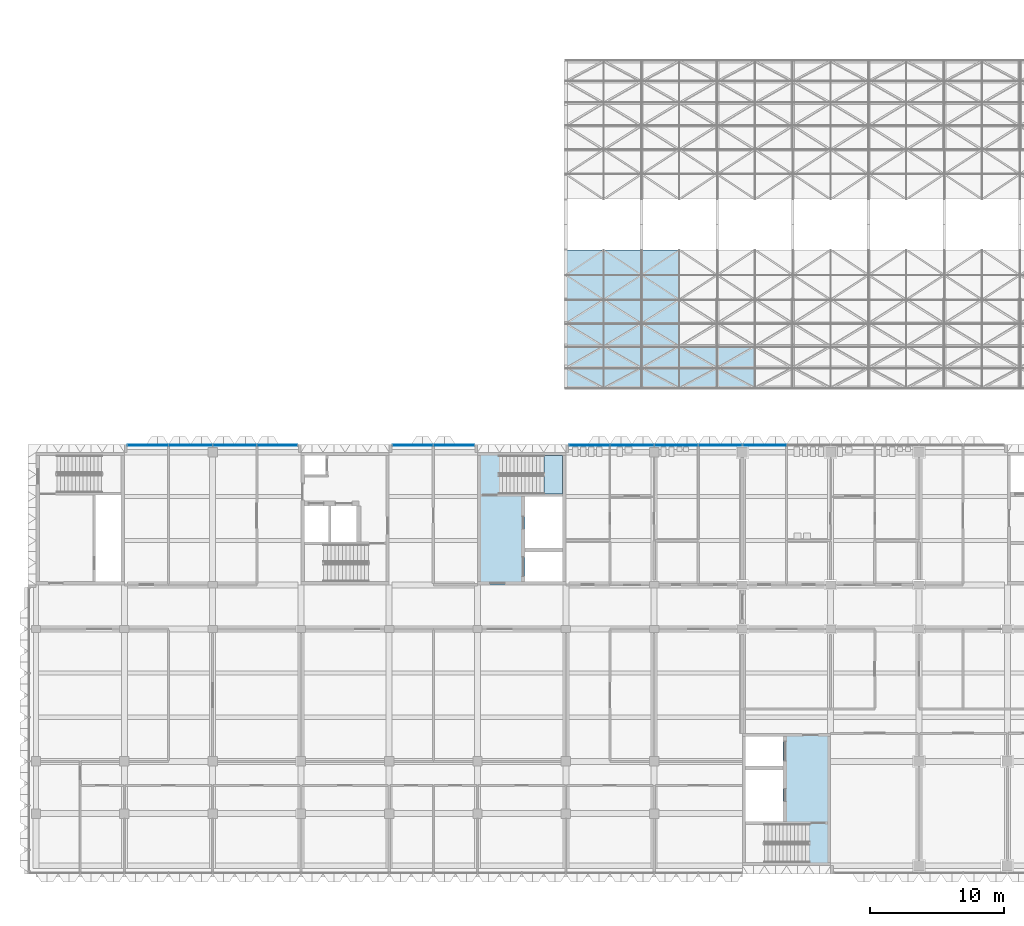
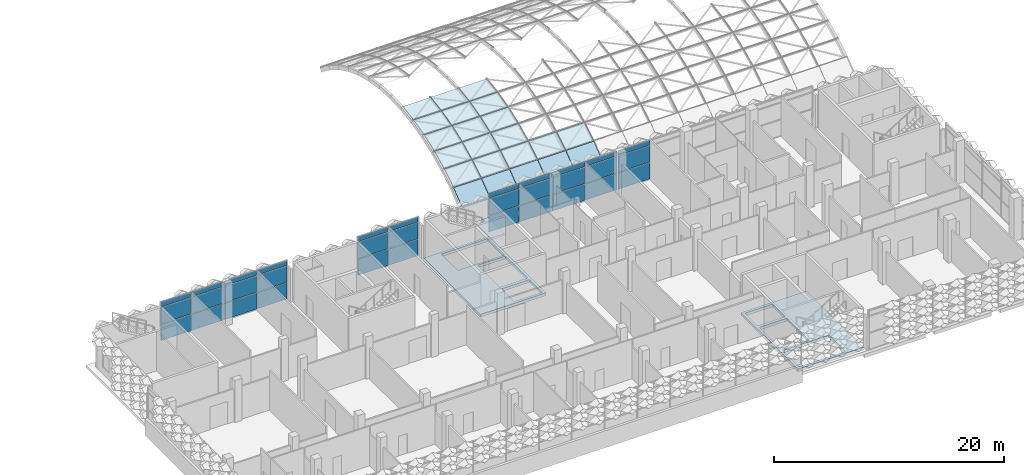
# One storey, part 20 of 85: 55 plates, 3 slabs, 5 elements without a shape of their own.
"""IFC4 building model written with IfcOpenShell, lengths in metres."""

from ifc_helpers import new_model, si_unit, direction, frame, origin, origin_2d, place, context, subcontext, project, spatial, polyline, rectangle, outline, extrude, material, layer, layer_set, type_object, element, aggregate, save


model = new_model("IFC4")

# Units and contexts
model_context = context("Model", 3, precision=1e-05, world=origin(), true_north=direction((0.0, 1.0)))
body_context = subcontext(model_context, "Body", "Model", "MODEL_VIEW")
ifc_project = project(units=[si_unit("LENGTHUNIT", "METRE"), si_unit("AREAUNIT", "SQUARE_METRE"), si_unit("VOLUMEUNIT", "CUBIC_METRE"), si_unit("PLANEANGLEUNIT", "RADIAN"), si_unit("MASSUNIT", "GRAM", prefix="KILO")], contexts=[model_context])

# Site, building, storey
site_placement = place(None, origin())
site = spatial("IfcSite", under=ifc_project, at=site_placement, CompositionType="ELEMENT")
building_placement = place(site_placement, origin())
building = spatial("IfcBuilding", under=site, at=building_placement, Name="Lantern Court Research Institute", CompositionType="ELEMENT")
storey_placement = place(building_placement, frame((0.0, 0.0, 18.89990234375)))
storey = spatial("IfcBuildingStorey", under=building, at=storey_placement, Name="L04", CompositionType="ELEMENT", Elevation=18.89990234375)

# Plates
ifc_material_1 = material(Name="Laminated low-emissivity glass", Category="glass")
ifc_layer_1 = layer(ifc_material_1, 0.035888671875)
ifc_layer_set_1 = layer_set([ifc_layer_1], Name="Laminated low-emissivity glass")
plate_type_1 = type_object("IfcPlateType", Name="Gridshell roof glazing panel 36", PredefinedType="SHEET", material=ifc_layer_set_1)
plate_1_placement = place(storey_placement, frame((42.41845703125, 34.502685546875, 3.881591796875), z_axis=(0.0, -0.249093192145, 0.9684795205), x_axis=(-1.0, 0.0, 0.0)))
element("IfcPlate", 1, at=plate_1_placement, inside=storey, type_object=plate_type_1, Name="Roof glazing panel", PredefinedType="SHEET", context=body_context, shape_type="SweptSolid", body=[
    extrude(outline(polyline([(0.0, 0.0), (2.808349609375, 0.0), (2.808349609375, -1.881825817736193), (0.0, -1.881825817736193), (0.0, 0.0)])), origin(), (0.0, 0.0, -1.0), 0.035888671875),
])
plate_2_placement = place(storey_placement, frame((42.41845703125, 36.348876953125, 4.355224609375), z_axis=(0.0, -0.150477827795, 0.988613384161), x_axis=(-1.0, 0.0, 0.0)))
element("IfcPlate", 2, at=plate_2_placement, inside=storey, type_object=plate_type_1, Name="Roof glazing panel", PredefinedType="SHEET", context=body_context, shape_type="SweptSolid", body=[
    extrude(outline(polyline([(0.0, 0.0), (2.808349609375, 0.0), (2.808349609375, -1.8820256056964206), (0.0, -1.8820256056964206), (0.0, 0.0)])), origin(), (0.0, 0.0, -1.0), 0.035888671875),
])
plate_3_placement = place(storey_placement, frame((45.2470703125, 34.502685546875, 3.881591796875), z_axis=(0.0, -0.249093192145, 0.9684795205), x_axis=(-1.0, 0.0, 0.0)))
element("IfcPlate", 3, at=plate_3_placement, inside=storey, type_object=plate_type_1, Name="Roof glazing panel", PredefinedType="SHEET", context=body_context, shape_type="SweptSolid", body=[
    extrude(outline(polyline([(0.0, 0.0), (2.80859375, 0.0), (2.80859375, -1.8818258177361935), (0.0, -1.8818258177361935), (0.0, 0.0)])), origin(), (0.0, 0.0, -1.0), 0.035888671875),
])
plate_4_placement = place(storey_placement, frame((45.2470703125, 36.348876953125, 4.355224609375), z_axis=(0.0, -0.150477827795, 0.988613384161), x_axis=(-1.0, 0.0, 0.0)))
element("IfcPlate", 4, at=plate_4_placement, inside=storey, type_object=plate_type_1, Name="Roof glazing panel", PredefinedType="SHEET", context=body_context, shape_type="SweptSolid", body=[
    extrude(outline(polyline([(0.0, 0.0), (2.80859375, 0.0), (2.80859375, -1.8820256056964204), (0.0, -1.8820256056964204), (0.0, 0.0)])), origin(), (0.0, 0.0, -1.0), 0.035888671875),
])
plate_5_placement = place(storey_placement, frame((48.07568359375, 34.502685546875, 3.881591796875), z_axis=(0.0, -0.249093192145, 0.9684795205), x_axis=(-1.0, 0.0, 0.0)))
element("IfcPlate", 5, at=plate_5_placement, inside=storey, type_object=plate_type_1, Name="Roof glazing panel", PredefinedType="SHEET", context=body_context, shape_type="SweptSolid", body=[
    extrude(outline(polyline([(0.0, 0.0), (2.80859375, 0.0), (2.80859375, -1.8818258177361935), (0.0, -1.8818258177361935), (0.0, 0.0)])), origin(), (0.0, 0.0, -1.0), 0.035888671875),
])
plate_6_placement = place(storey_placement, frame((48.07568359375, 36.348876953125, 4.355224609375), z_axis=(0.0, -0.150477827795, 0.988613384161), x_axis=(-1.0, 0.0, 0.0)))
element("IfcPlate", 6, at=plate_6_placement, inside=storey, type_object=plate_type_1, Name="Roof glazing panel", PredefinedType="SHEET", context=body_context, shape_type="SweptSolid", body=[
    extrude(outline(polyline([(0.0, 0.0), (2.80859375, 0.0), (2.80859375, -1.8820256056964204), (0.0, -1.8820256056964204), (0.0, 0.0)])), origin(), (0.0, 0.0, -1.0), 0.035888671875),
])
ifc_material_2 = material(Name="Laminated low-emissivity glass", Category="glass")
ifc_layer_2 = layer(ifc_material_2, 0.0439453125)
ifc_layer_set_2 = layer_set([ifc_layer_2], Name="Laminated low-emissivity glass")
plate_type_2 = type_object("IfcPlateType", Name="Gridshell roof glazing panel 44", PredefinedType="SHEET", material=ifc_layer_set_2)
plate_7_placement = place(storey_placement, frame((42.41845703125, 27.86181640625, 0.23828125), z_axis=(0.0, -0.60878642587, 0.793334158899), x_axis=(-1.0, 0.0, 0.0)))
element("IfcPlate", 7, at=plate_7_placement, inside=storey, type_object=plate_type_2, Name="Roof glazing panel", PredefinedType="SHEET", context=body_context, shape_type="SweptSolid", body=[
    extrude(outline(polyline([(0.0, 0.0), (2.808349609375, 0.0), (2.808349609375, -1.8772137765583714), (0.0, -1.8772137765583714), (0.0, 0.0)])), origin(), (0.0, 0.0, -1.0), 0.0439453125),
])
plate_8_placement = place(storey_placement, frame((42.41845703125, 29.37451171875, 1.3974609375), z_axis=(0.0, -0.525951989181, 0.850514259185), x_axis=(-1.0, 0.0, 0.0)))
element("IfcPlate", 8, at=plate_8_placement, inside=storey, type_object=plate_type_2, Name="Roof glazing panel", PredefinedType="SHEET", context=body_context, shape_type="SweptSolid", body=[
    extrude(outline(polyline([(0.0, 0.0), (2.808349609375, 0.0), (2.808349609375, -1.8790332013740056), (0.0, -1.8790332013740056), (0.0, 0.0)])), origin(), (0.0, 0.0, -1.0), 0.0439453125),
])
plate_9_placement = place(storey_placement, frame((42.41845703125, 30.99658203125, 2.39892578125), z_axis=(0.0, -0.437840262828, 0.89905278168), x_axis=(-1.0, 0.0, 0.0)))
element("IfcPlate", 9, at=plate_9_placement, inside=storey, type_object=plate_type_2, Name="Roof glazing panel", PredefinedType="SHEET", context=body_context, shape_type="SweptSolid", body=[
    extrude(outline(polyline([(0.0, 0.0), (2.808349609375, 0.0), (2.808349609375, -1.8802340885275781), (0.0, -1.8802340885275781), (0.0, 0.0)])), origin(), (0.0, 0.0, -1.0), 0.0439453125),
])
plate_10_placement = place(storey_placement, frame((42.41845703125, 32.7109375, 3.232421875), z_axis=(0.0, -0.345200137795, 0.938529096441), x_axis=(-1.0, 0.0, 0.0)))
element("IfcPlate", 10, at=plate_10_placement, inside=storey, type_object=plate_type_2, Name="Roof glazing panel", PredefinedType="SHEET", context=body_context, shape_type="SweptSolid", body=[
    extrude(outline(polyline([(0.0, 0.0), (2.808349609375, 0.0), (2.808349609375, -1.8812682597646073), (0.0, -1.8812682597646073), (0.0, 0.0)])), origin(), (0.0, 0.0, -1.0), 0.0439453125),
])
plate_11_placement = place(storey_placement, frame((45.2470703125, 27.86181640625, 0.23828125), z_axis=(0.0, -0.60878642587, 0.793334158899), x_axis=(-1.0, 0.0, 0.0)))
element("IfcPlate", 11, at=plate_11_placement, inside=storey, type_object=plate_type_2, Name="Roof glazing panel", PredefinedType="SHEET", context=body_context, shape_type="SweptSolid", body=[
    extrude(outline(polyline([(0.0, 0.0), (2.80859375, 0.0), (2.80859375, -1.8772137765583714), (0.0, -1.8772137765583714), (0.0, 0.0)])), origin(), (0.0, 0.0, -1.0), 0.0439453125),
])
plate_12_placement = place(storey_placement, frame((45.2470703125, 29.37451171875, 1.3974609375), z_axis=(0.0, -0.525951989181, 0.850514259185), x_axis=(-1.0, 0.0, 0.0)))
element("IfcPlate", 12, at=plate_12_placement, inside=storey, type_object=plate_type_2, Name="Roof glazing panel", PredefinedType="SHEET", context=body_context, shape_type="SweptSolid", body=[
    extrude(outline(polyline([(0.0, 0.0), (2.80859375, 0.0), (2.80859375, -1.8790332013740056), (0.0, -1.8790332013740056), (0.0, 0.0)])), origin(), (0.0, 0.0, -1.0), 0.0439453125),
])
plate_13_placement = place(storey_placement, frame((45.2470703125, 30.99658203125, 2.39892578125), z_axis=(0.0, -0.437840262828, 0.89905278168), x_axis=(-1.0, 0.0, 0.0)))
element("IfcPlate", 13, at=plate_13_placement, inside=storey, type_object=plate_type_2, Name="Roof glazing panel", PredefinedType="SHEET", context=body_context, shape_type="SweptSolid", body=[
    extrude(outline(polyline([(0.0, 0.0), (2.80859375, 0.0), (2.80859375, -1.8802340885275783), (0.0, -1.8802340885275783), (0.0, 0.0)])), origin(), (0.0, 0.0, -1.0), 0.0439453125),
])
plate_14_placement = place(storey_placement, frame((45.2470703125, 32.7109375, 3.232421875), z_axis=(0.0, -0.345200137795, 0.938529096441), x_axis=(-1.0, 0.0, 0.0)))
element("IfcPlate", 14, at=plate_14_placement, inside=storey, type_object=plate_type_2, Name="Roof glazing panel", PredefinedType="SHEET", context=body_context, shape_type="SweptSolid", body=[
    extrude(outline(polyline([(0.0, 0.0), (2.80859375, 0.0), (2.80859375, -1.8812682597646073), (0.0, -1.8812682597646073), (0.0, 0.0)])), origin(), (0.0, 0.0, -1.0), 0.0439453125),
])
plate_15_placement = place(storey_placement, frame((48.07568359375, 27.86181640625, 0.23828125), z_axis=(0.0, -0.60878642587, 0.793334158899), x_axis=(-1.0, 0.0, 0.0)))
element("IfcPlate", 15, at=plate_15_placement, inside=storey, type_object=plate_type_2, Name="Roof glazing panel", PredefinedType="SHEET", context=body_context, shape_type="SweptSolid", body=[
    extrude(outline(polyline([(0.0, 0.0), (2.80859375, 0.0), (2.80859375, -1.8772137765583714), (0.0, -1.8772137765583714), (0.0, 0.0)])), origin(), (0.0, 0.0, -1.0), 0.0439453125),
])
plate_16_placement = place(storey_placement, frame((48.07568359375, 29.37451171875, 1.3974609375), z_axis=(0.0, -0.525951989181, 0.850514259185), x_axis=(-1.0, 0.0, 0.0)))
element("IfcPlate", 16, at=plate_16_placement, inside=storey, type_object=plate_type_2, Name="Roof glazing panel", PredefinedType="SHEET", context=body_context, shape_type="SweptSolid", body=[
    extrude(outline(polyline([(0.0, 0.0), (2.80859375, 0.0), (2.80859375, -1.8790332013740056), (0.0, -1.8790332013740056), (0.0, 0.0)])), origin(), (0.0, 0.0, -1.0), 0.0439453125),
])
plate_17_placement = place(storey_placement, frame((48.07568359375, 30.99658203125, 2.39892578125), z_axis=(0.0, -0.437840262828, 0.89905278168), x_axis=(-1.0, 0.0, 0.0)))
element("IfcPlate", 17, at=plate_17_placement, inside=storey, type_object=plate_type_2, Name="Roof glazing panel", PredefinedType="SHEET", context=body_context, shape_type="SweptSolid", body=[
    extrude(outline(polyline([(0.0, 0.0), (2.80859375, 0.0), (2.80859375, -1.8802340885275783), (0.0, -1.8802340885275783), (0.0, 0.0)])), origin(), (0.0, 0.0, -1.0), 0.0439453125),
])
plate_18_placement = place(storey_placement, frame((48.07568359375, 32.7109375, 3.232421875), z_axis=(0.0, -0.345200137795, 0.938529096441), x_axis=(-1.0, 0.0, 0.0)))
element("IfcPlate", 18, at=plate_18_placement, inside=storey, type_object=plate_type_2, Name="Roof glazing panel", PredefinedType="SHEET", context=body_context, shape_type="SweptSolid", body=[
    extrude(outline(polyline([(0.0, 0.0), (2.80859375, 0.0), (2.80859375, -1.8812682597646073), (0.0, -1.8812682597646073), (0.0, 0.0)])), origin(), (0.0, 0.0, -1.0), 0.0439453125),
])
plate_19_placement = place(storey_placement, frame((50.904296875, 27.86181640625, 0.23828125), z_axis=(0.0, -0.60878642587, 0.793334158899), x_axis=(-1.0, 0.0, 0.0)))
element("IfcPlate", 19, at=plate_19_placement, inside=storey, type_object=plate_type_2, Name="Roof glazing panel", PredefinedType="SHEET", context=body_context, shape_type="SweptSolid", body=[
    extrude(outline(polyline([(0.0, 0.0), (2.80859375, 0.0), (2.80859375, -1.8772137765583714), (0.0, -1.8772137765583714), (0.0, 0.0)])), origin(), (0.0, 0.0, -1.0), 0.0439453125),
])
plate_20_placement = place(storey_placement, frame((50.904296875, 29.37451171875, 1.3974609375), z_axis=(0.0, -0.525951989181, 0.850514259185), x_axis=(-1.0, 0.0, 0.0)))
element("IfcPlate", 20, at=plate_20_placement, inside=storey, type_object=plate_type_2, Name="Roof glazing panel", PredefinedType="SHEET", context=body_context, shape_type="SweptSolid", body=[
    extrude(outline(polyline([(0.0, 0.0), (2.80859375, 0.0), (2.80859375, -1.8790332013740056), (0.0, -1.8790332013740056), (0.0, 0.0)])), origin(), (0.0, 0.0, -1.0), 0.0439453125),
])
plate_21_placement = place(storey_placement, frame((53.73291015625, 27.86181640625, 0.23828125), z_axis=(0.0, -0.60878642587, 0.793334158899), x_axis=(-1.0, 0.0, 0.0)))
element("IfcPlate", 21, at=plate_21_placement, inside=storey, type_object=plate_type_2, Name="Roof glazing panel", PredefinedType="SHEET", context=body_context, shape_type="SweptSolid", body=[
    extrude(outline(polyline([(0.0, 0.0), (2.80859375, 0.0), (2.80859375, -1.8772137765583714), (0.0, -1.8772137765583714), (0.0, 0.0)])), origin(), (0.0, 0.0, -1.0), 0.0439453125),
])
plate_22_placement = place(storey_placement, frame((53.73291015625, 29.37451171875, 1.3974609375), z_axis=(0.0, -0.525951989181, 0.850514259185), x_axis=(-1.0, 0.0, 0.0)))
element("IfcPlate", 22, at=plate_22_placement, inside=storey, type_object=plate_type_2, Name="Roof glazing panel", PredefinedType="SHEET", context=body_context, shape_type="SweptSolid", body=[
    extrude(outline(polyline([(0.0, 0.0), (2.80859375, 0.0), (2.80859375, -1.8790332013740056), (0.0, -1.8790332013740056), (0.0, 0.0)])), origin(), (0.0, 0.0, -1.0), 0.0439453125),
])

# Curtain wall, plates
ifc_material_3 = material(Name="Aluminium alloy 6063-T6", Category="aluminium")
curtain_wall_type_1 = type_object("IfcCurtainWallType", Name="Curtain wall 12800 x 4200 x 150 aluminium frame", PredefinedType="NOTDEFINED", material=ifc_material_3)
curtain_wall_1_placement = place(storey_placement, origin())
curtain_wall_1 = element("IfcCurtainWall", 23, at=curtain_wall_1_placement, inside=storey, type_object=curtain_wall_type_1, Name="Curtain wall CW060", PredefinedType="NOTDEFINED")
ifc_material_4 = material(Name="Insulated aluminium spandrel panel", Category="aluminium")
ifc_layer_3 = layer(ifc_material_4, 0.06005859375)
ifc_layer_set_3 = layer_set([ifc_layer_3], Name="Insulated aluminium spandrel panel")
plate_type_3 = type_object("IfcPlateType", Name="Insulated spandrel panel 60 mm", PredefinedType="CURTAIN_PANEL", material=ifc_layer_set_3)
plate_23_placement = place(storey_placement, frame((8.364990234375, 23.625, 0.06005859375), z_axis=(0.0, 0.0, 1.0), x_axis=(1.0, 0.0, 0.0)))
plate_23 = element("IfcPlate", 24, at=plate_23_placement, type_object=plate_type_3, Name="CW060 spandrel panel 1.1", PredefinedType="CURTAIN_PANEL", context=body_context, shape_type="SweptSolid", body=[
    extrude(rectangle(XDim=3.010009765625, YDim=0.06005859375, at=origin_2d()), origin(), (0.0, 0.0, 1.0), 1.7099609375),
])
plate_24_placement = place(storey_placement, frame((11.550048828125, 23.625, 0.06005859375), z_axis=(0.0, 0.0, 1.0), x_axis=(1.0, 0.0, 0.0)))
plate_24 = element("IfcPlate", 25, at=plate_24_placement, type_object=plate_type_3, Name="CW060 spandrel panel 2.1", PredefinedType="CURTAIN_PANEL", context=body_context, shape_type="SweptSolid", body=[
    extrude(rectangle(XDim=3.239990234375, YDim=0.06005859375, at=origin_2d()), origin(), (0.0, 0.0, 1.0), 1.7099609375),
])
plate_25_placement = place(storey_placement, frame((14.85009765625, 23.625, 0.06005859375), z_axis=(0.0, 0.0, 1.0), x_axis=(1.0, 0.0, 0.0)))
plate_25 = element("IfcPlate", 26, at=plate_25_placement, type_object=plate_type_3, Name="CW060 spandrel panel 3.1", PredefinedType="CURTAIN_PANEL", context=body_context, shape_type="SweptSolid", body=[
    extrude(rectangle(XDim=3.239990234375, YDim=0.06005859375, at=origin_2d()), origin(), (0.0, 0.0, 1.0), 1.7099609375),
])
plate_26_placement = place(storey_placement, frame((18.034912109375, 23.625, 0.06005859375), z_axis=(0.0, 0.0, 1.0), x_axis=(1.0, 0.0, 0.0)))
plate_26 = element("IfcPlate", 27, at=plate_26_placement, type_object=plate_type_3, Name="CW060 spandrel panel 4.1", PredefinedType="CURTAIN_PANEL", context=body_context, shape_type="SweptSolid", body=[
    extrude(rectangle(XDim=3.010009765625, YDim=0.06005859375, at=origin_2d()), origin(), (0.0, 0.0, 1.0), 1.7099609375),
])

ifc_material_5 = material(Name="Aluminium alloy 6063-T6", Category="aluminium")
curtain_wall_type_2 = type_object("IfcCurtainWallType", Name="Curtain wall 6200 x 4200 x 150 aluminium frame", PredefinedType="NOTDEFINED", material=ifc_material_5)
curtain_wall_2_placement = place(storey_placement, origin())
curtain_wall_2 = element("IfcCurtainWall", 28, at=curtain_wall_2_placement, inside=storey, type_object=curtain_wall_type_2, Name="Curtain wall CW061", PredefinedType="NOTDEFINED")
plate_27_placement = place(storey_placement, frame((28.1650390625, 23.625, 0.06005859375), z_axis=(0.0, 0.0, 1.0), x_axis=(1.0, 0.0, 0.0)))
plate_27 = element("IfcPlate", 29, at=plate_27_placement, type_object=plate_type_3, Name="CW061 spandrel panel 1.1", PredefinedType="CURTAIN_PANEL", context=body_context, shape_type="SweptSolid", body=[
    extrude(rectangle(XDim=3.010009765625, YDim=0.06005859375, at=origin_2d()), origin(), (0.0, 0.0, 1.0), 1.7099609375),
])
plate_28_placement = place(storey_placement, frame((31.235107421875, 23.625, 0.06005859375), z_axis=(0.0, 0.0, 1.0), x_axis=(1.0, 0.0, 0.0)))
plate_28 = element("IfcPlate", 30, at=plate_28_placement, type_object=plate_type_3, Name="CW061 spandrel panel 2.1", PredefinedType="CURTAIN_PANEL", context=body_context, shape_type="SweptSolid", body=[
    extrude(rectangle(XDim=3.010009765625, YDim=0.06005859375, at=origin_2d()), origin(), (0.0, 0.0, 1.0), 1.7099609375),
])

ifc_material_6 = material(Name="Aluminium alloy 6063-T6", Category="aluminium")
curtain_wall_type_3 = type_object("IfcCurtainWallType", Name="Curtain wall 13000 x 4200 x 150 aluminium frame", PredefinedType="NOTDEFINED", material=ifc_material_6)
curtain_wall_3_placement = place(storey_placement, origin())
curtain_wall_3 = element("IfcCurtainWall", 31, at=curtain_wall_3_placement, inside=storey, type_object=curtain_wall_type_3, Name="Curtain wall CW062", PredefinedType="NOTDEFINED")
plate_29_placement = place(storey_placement, frame((41.364990234375, 23.625, 0.06005859375), z_axis=(0.0, 0.0, 1.0), x_axis=(1.0, 0.0, 0.0)))
plate_29 = element("IfcPlate", 32, at=plate_29_placement, type_object=plate_type_3, Name="CW062 spandrel panel 1.1", PredefinedType="CURTAIN_PANEL", context=body_context, shape_type="SweptSolid", body=[
    extrude(rectangle(XDim=3.010009765625, YDim=0.06005859375, at=origin_2d()), origin(), (0.0, 0.0, 1.0), 1.7099609375),
])
plate_30_placement = place(storey_placement, frame((44.550048828125, 23.625, 0.06005859375), z_axis=(0.0, 0.0, 1.0), x_axis=(1.0, 0.0, 0.0)))
plate_30 = element("IfcPlate", 33, at=plate_30_placement, type_object=plate_type_3, Name="CW062 spandrel panel 2.1", PredefinedType="CURTAIN_PANEL", context=body_context, shape_type="SweptSolid", body=[
    extrude(rectangle(XDim=3.239990234375, YDim=0.06005859375, at=origin_2d()), origin(), (0.0, 0.0, 1.0), 1.7099609375),
])
plate_31_placement = place(storey_placement, frame((47.85009765625, 23.625, 0.06005859375), z_axis=(0.0, 0.0, 1.0), x_axis=(1.0, 0.0, 0.0)))
plate_31 = element("IfcPlate", 34, at=plate_31_placement, type_object=plate_type_3, Name="CW062 spandrel panel 3.1", PredefinedType="CURTAIN_PANEL", context=body_context, shape_type="SweptSolid", body=[
    extrude(rectangle(XDim=3.239990234375, YDim=0.06005859375, at=origin_2d()), origin(), (0.0, 0.0, 1.0), 1.7099609375),
])
plate_32_placement = place(storey_placement, frame((51.135009765625, 23.625, 0.06005859375), z_axis=(0.0, 0.0, 1.0), x_axis=(1.0, 0.0, 0.0)))
plate_32 = element("IfcPlate", 35, at=plate_32_placement, type_object=plate_type_3, Name="CW062 spandrel panel 4.1", PredefinedType="CURTAIN_PANEL", context=body_context, shape_type="SweptSolid", body=[
    extrude(rectangle(XDim=3.2099609375, YDim=0.06005859375, at=origin_2d()), origin(), (0.0, 0.0, 1.0), 1.7099609375),
])

# Curtain wall, plate
ifc_material_7 = material(Name="Aluminium alloy 6063-T6", Category="aluminium")
curtain_wall_type_4 = type_object("IfcCurtainWallType", Name="Curtain wall 19600 x 4200 x 150 aluminium frame", PredefinedType="NOTDEFINED", material=ifc_material_7)
curtain_wall_4_placement = place(storey_placement, origin())
curtain_wall_4 = element("IfcCurtainWall", 36, at=curtain_wall_4_placement, inside=storey, type_object=curtain_wall_type_4, Name="Curtain wall CW066", PredefinedType="NOTDEFINED")
plate_33_placement = place(storey_placement, frame((54.465087890625, 23.625, 0.06005859375), z_axis=(0.0, 0.0, 1.0), x_axis=(1.0, 0.0, 0.0)))
plate_33 = element("IfcPlate", 37, at=plate_33_placement, type_object=plate_type_3, Name="CW066 spandrel panel 1.1", PredefinedType="CURTAIN_PANEL", context=body_context, shape_type="SweptSolid", body=[
    extrude(rectangle(XDim=3.2099609375, YDim=0.06005859375, at=origin_2d()), origin(), (0.0, 0.0, 1.0), 1.7099609375),
])

# Plate
ifc_material_8 = material(Name="Laminated low-emissivity glass", Category="glass")
ifc_layer_4 = layer(ifc_material_8, 0.028076171875)
ifc_layer_set_4 = layer_set([ifc_layer_4], Name="Laminated low-emissivity glass")
plate_type_4 = type_object("IfcPlateType", Name="Laminated low-emissivity unit 28 mm", PredefinedType="CURTAIN_PANEL", material=ifc_layer_set_4)
plate_34_placement = place(storey_placement, frame((8.364990234375, 23.625, 1.830078125), z_axis=(0.0, 0.0, 1.0), x_axis=(1.0, 0.0, 0.0)))
plate_34 = element("IfcPlate", 38, at=plate_34_placement, type_object=plate_type_4, Name="CW060 glazed panel 1.2", PredefinedType="CURTAIN_PANEL", context=body_context, shape_type="SweptSolid", body=[
    extrude(rectangle(XDim=3.010009765625, YDim=0.028076171875, at=origin_2d()), origin(), (0.0, 0.0, 1.0), 1.739990234375),
])

plate_35_placement = place(storey_placement, frame((8.364990234375, 23.625, 3.6298828125), z_axis=(0.0, 0.0, 1.0), x_axis=(1.0, 0.0, 0.0)))
plate_35 = element("IfcPlate", 39, at=plate_35_placement, type_object=plate_type_4, Name="CW060 glazed panel 1.3", PredefinedType="CURTAIN_PANEL", context=body_context, shape_type="SweptSolid", body=[
    extrude(rectangle(XDim=3.010009765625, YDim=0.028076171875, at=origin_2d()), origin(), (0.0, 0.0, 1.0), 0.510009765625),
])

plate_36_placement = place(storey_placement, frame((11.550048828125, 23.625, 1.830078125), z_axis=(0.0, 0.0, 1.0), x_axis=(1.0, 0.0, 0.0)))
plate_36 = element("IfcPlate", 40, at=plate_36_placement, type_object=plate_type_4, Name="CW060 glazed panel 2.2", PredefinedType="CURTAIN_PANEL", context=body_context, shape_type="SweptSolid", body=[
    extrude(rectangle(XDim=3.239990234375, YDim=0.028076171875, at=origin_2d()), origin(), (0.0, 0.0, 1.0), 1.739990234375),
])

plate_37_placement = place(storey_placement, frame((11.550048828125, 23.625, 3.6298828125), z_axis=(0.0, 0.0, 1.0), x_axis=(1.0, 0.0, 0.0)))
plate_37 = element("IfcPlate", 41, at=plate_37_placement, type_object=plate_type_4, Name="CW060 glazed panel 2.3", PredefinedType="CURTAIN_PANEL", context=body_context, shape_type="SweptSolid", body=[
    extrude(rectangle(XDim=3.239990234375, YDim=0.028076171875, at=origin_2d()), origin(), (0.0, 0.0, 1.0), 0.510009765625),
])

plate_38_placement = place(storey_placement, frame((14.85009765625, 23.625, 1.830078125), z_axis=(0.0, 0.0, 1.0), x_axis=(1.0, 0.0, 0.0)))
plate_38 = element("IfcPlate", 42, at=plate_38_placement, type_object=plate_type_4, Name="CW060 glazed panel 3.2", PredefinedType="CURTAIN_PANEL", context=body_context, shape_type="SweptSolid", body=[
    extrude(rectangle(XDim=3.239990234375, YDim=0.028076171875, at=origin_2d()), origin(), (0.0, 0.0, 1.0), 1.739990234375),
])

plate_39_placement = place(storey_placement, frame((14.85009765625, 23.625, 3.6298828125), z_axis=(0.0, 0.0, 1.0), x_axis=(1.0, 0.0, 0.0)))
plate_39 = element("IfcPlate", 43, at=plate_39_placement, type_object=plate_type_4, Name="CW060 glazed panel 3.3", PredefinedType="CURTAIN_PANEL", context=body_context, shape_type="SweptSolid", body=[
    extrude(rectangle(XDim=3.239990234375, YDim=0.028076171875, at=origin_2d()), origin(), (0.0, 0.0, 1.0), 0.510009765625),
])

plate_40_placement = place(storey_placement, frame((18.034912109375, 23.625, 1.830078125), z_axis=(0.0, 0.0, 1.0), x_axis=(1.0, 0.0, 0.0)))
plate_40 = element("IfcPlate", 44, at=plate_40_placement, type_object=plate_type_4, Name="CW060 glazed panel 4.2", PredefinedType="CURTAIN_PANEL", context=body_context, shape_type="SweptSolid", body=[
    extrude(rectangle(XDim=3.010009765625, YDim=0.028076171875, at=origin_2d()), origin(), (0.0, 0.0, 1.0), 1.739990234375),
])

plate_41_placement = place(storey_placement, frame((18.034912109375, 23.625, 3.6298828125), z_axis=(0.0, 0.0, 1.0), x_axis=(1.0, 0.0, 0.0)))
plate_41 = element("IfcPlate", 45, at=plate_41_placement, type_object=plate_type_4, Name="CW060 glazed panel 4.3", PredefinedType="CURTAIN_PANEL", context=body_context, shape_type="SweptSolid", body=[
    extrude(rectangle(XDim=3.010009765625, YDim=0.028076171875, at=origin_2d()), origin(), (0.0, 0.0, 1.0), 0.510009765625),
])

aggregate(curtain_wall_1, [plate_23, plate_34, plate_35, plate_24, plate_36, plate_37, plate_25, plate_38, plate_39, plate_26, plate_40, plate_41])

plate_42_placement = place(storey_placement, frame((28.1650390625, 23.625, 1.830078125), z_axis=(0.0, 0.0, 1.0), x_axis=(1.0, 0.0, 0.0)))
plate_42 = element("IfcPlate", 46, at=plate_42_placement, type_object=plate_type_4, Name="CW061 glazed panel 1.2", PredefinedType="CURTAIN_PANEL", context=body_context, shape_type="SweptSolid", body=[
    extrude(rectangle(XDim=3.010009765625, YDim=0.028076171875, at=origin_2d()), origin(), (0.0, 0.0, 1.0), 1.739990234375),
])

plate_43_placement = place(storey_placement, frame((28.1650390625, 23.625, 3.6298828125), z_axis=(0.0, 0.0, 1.0), x_axis=(1.0, 0.0, 0.0)))
plate_43 = element("IfcPlate", 47, at=plate_43_placement, type_object=plate_type_4, Name="CW061 glazed panel 1.3", PredefinedType="CURTAIN_PANEL", context=body_context, shape_type="SweptSolid", body=[
    extrude(rectangle(XDim=3.010009765625, YDim=0.028076171875, at=origin_2d()), origin(), (0.0, 0.0, 1.0), 0.510009765625),
])

plate_44_placement = place(storey_placement, frame((31.235107421875, 23.625, 1.830078125), z_axis=(0.0, 0.0, 1.0), x_axis=(1.0, 0.0, 0.0)))
plate_44 = element("IfcPlate", 48, at=plate_44_placement, type_object=plate_type_4, Name="CW061 glazed panel 2.2", PredefinedType="CURTAIN_PANEL", context=body_context, shape_type="SweptSolid", body=[
    extrude(rectangle(XDim=3.010009765625, YDim=0.028076171875, at=origin_2d()), origin(), (0.0, 0.0, 1.0), 1.739990234375),
])

plate_45_placement = place(storey_placement, frame((31.235107421875, 23.625, 3.6298828125), z_axis=(0.0, 0.0, 1.0), x_axis=(1.0, 0.0, 0.0)))
plate_45 = element("IfcPlate", 49, at=plate_45_placement, type_object=plate_type_4, Name="CW061 glazed panel 2.3", PredefinedType="CURTAIN_PANEL", context=body_context, shape_type="SweptSolid", body=[
    extrude(rectangle(XDim=3.010009765625, YDim=0.028076171875, at=origin_2d()), origin(), (0.0, 0.0, 1.0), 0.510009765625),
])

aggregate(curtain_wall_2, [plate_27, plate_42, plate_43, plate_28, plate_44, plate_45])

plate_46_placement = place(storey_placement, frame((41.364990234375, 23.625, 1.830078125), z_axis=(0.0, 0.0, 1.0), x_axis=(1.0, 0.0, 0.0)))
plate_46 = element("IfcPlate", 50, at=plate_46_placement, type_object=plate_type_4, Name="CW062 glazed panel 1.2", PredefinedType="CURTAIN_PANEL", context=body_context, shape_type="SweptSolid", body=[
    extrude(rectangle(XDim=3.010009765625, YDim=0.028076171875, at=origin_2d()), origin(), (0.0, 0.0, 1.0), 1.739990234375),
])

plate_47_placement = place(storey_placement, frame((41.364990234375, 23.625, 3.6298828125), z_axis=(0.0, 0.0, 1.0), x_axis=(1.0, 0.0, 0.0)))
plate_47 = element("IfcPlate", 51, at=plate_47_placement, type_object=plate_type_4, Name="CW062 glazed panel 1.3", PredefinedType="CURTAIN_PANEL", context=body_context, shape_type="SweptSolid", body=[
    extrude(rectangle(XDim=3.010009765625, YDim=0.028076171875, at=origin_2d()), origin(), (0.0, 0.0, 1.0), 0.510009765625),
])

plate_48_placement = place(storey_placement, frame((44.550048828125, 23.625, 1.830078125), z_axis=(0.0, 0.0, 1.0), x_axis=(1.0, 0.0, 0.0)))
plate_48 = element("IfcPlate", 52, at=plate_48_placement, type_object=plate_type_4, Name="CW062 glazed panel 2.2", PredefinedType="CURTAIN_PANEL", context=body_context, shape_type="SweptSolid", body=[
    extrude(rectangle(XDim=3.239990234375, YDim=0.028076171875, at=origin_2d()), origin(), (0.0, 0.0, 1.0), 1.739990234375),
])

plate_49_placement = place(storey_placement, frame((44.550048828125, 23.625, 3.6298828125), z_axis=(0.0, 0.0, 1.0), x_axis=(1.0, 0.0, 0.0)))
plate_49 = element("IfcPlate", 53, at=plate_49_placement, type_object=plate_type_4, Name="CW062 glazed panel 2.3", PredefinedType="CURTAIN_PANEL", context=body_context, shape_type="SweptSolid", body=[
    extrude(rectangle(XDim=3.239990234375, YDim=0.028076171875, at=origin_2d()), origin(), (0.0, 0.0, 1.0), 0.510009765625),
])

plate_50_placement = place(storey_placement, frame((47.85009765625, 23.625, 1.830078125), z_axis=(0.0, 0.0, 1.0), x_axis=(1.0, 0.0, 0.0)))
plate_50 = element("IfcPlate", 54, at=plate_50_placement, type_object=plate_type_4, Name="CW062 glazed panel 3.2", PredefinedType="CURTAIN_PANEL", context=body_context, shape_type="SweptSolid", body=[
    extrude(rectangle(XDim=3.239990234375, YDim=0.028076171875, at=origin_2d()), origin(), (0.0, 0.0, 1.0), 1.739990234375),
])

plate_51_placement = place(storey_placement, frame((47.85009765625, 23.625, 3.6298828125), z_axis=(0.0, 0.0, 1.0), x_axis=(1.0, 0.0, 0.0)))
plate_51 = element("IfcPlate", 55, at=plate_51_placement, type_object=plate_type_4, Name="CW062 glazed panel 3.3", PredefinedType="CURTAIN_PANEL", context=body_context, shape_type="SweptSolid", body=[
    extrude(rectangle(XDim=3.239990234375, YDim=0.028076171875, at=origin_2d()), origin(), (0.0, 0.0, 1.0), 0.510009765625),
])

plate_52_placement = place(storey_placement, frame((51.135009765625, 23.625, 1.830078125), z_axis=(0.0, 0.0, 1.0), x_axis=(1.0, 0.0, 0.0)))
plate_52 = element("IfcPlate", 56, at=plate_52_placement, type_object=plate_type_4, Name="CW062 glazed panel 4.2", PredefinedType="CURTAIN_PANEL", context=body_context, shape_type="SweptSolid", body=[
    extrude(rectangle(XDim=3.2099609375, YDim=0.028076171875, at=origin_2d()), origin(), (0.0, 0.0, 1.0), 1.739990234375),
])

plate_53_placement = place(storey_placement, frame((51.135009765625, 23.625, 3.6298828125), z_axis=(0.0, 0.0, 1.0), x_axis=(1.0, 0.0, 0.0)))
plate_53 = element("IfcPlate", 57, at=plate_53_placement, type_object=plate_type_4, Name="CW062 glazed panel 4.3", PredefinedType="CURTAIN_PANEL", context=body_context, shape_type="SweptSolid", body=[
    extrude(rectangle(XDim=3.2099609375, YDim=0.028076171875, at=origin_2d()), origin(), (0.0, 0.0, 1.0), 0.510009765625),
])

aggregate(curtain_wall_3, [plate_29, plate_46, plate_47, plate_30, plate_48, plate_49, plate_31, plate_50, plate_51, plate_32, plate_52, plate_53])

plate_54_placement = place(storey_placement, frame((54.465087890625, 23.625, 1.830078125), z_axis=(0.0, 0.0, 1.0), x_axis=(1.0, 0.0, 0.0)))
plate_54 = element("IfcPlate", 58, at=plate_54_placement, type_object=plate_type_4, Name="CW066 glazed panel 1.2", PredefinedType="CURTAIN_PANEL", context=body_context, shape_type="SweptSolid", body=[
    extrude(rectangle(XDim=3.2099609375, YDim=0.028076171875, at=origin_2d()), origin(), (0.0, 0.0, 1.0), 1.739990234375),
])

plate_55_placement = place(storey_placement, frame((54.465087890625, 23.625, 3.6298828125), z_axis=(0.0, 0.0, 1.0), x_axis=(1.0, 0.0, 0.0)))
plate_55 = element("IfcPlate", 59, at=plate_55_placement, type_object=plate_type_4, Name="CW066 glazed panel 1.3", PredefinedType="CURTAIN_PANEL", context=body_context, shape_type="SweptSolid", body=[
    extrude(rectangle(XDim=3.2099609375, YDim=0.028076171875, at=origin_2d()), origin(), (0.0, 0.0, 1.0), 0.510009765625),
])

aggregate(curtain_wall_4, [plate_33, plate_54, plate_55])

# Slabs
ifc_material_9 = material(Name="Concrete C35/45", Category="concrete")
ifc_layer_5 = layer(ifc_material_9, 0.300048828125)
ifc_layer_set_5 = layer_set([ifc_layer_5], Name="Concrete C35/45")
slab_type_1 = type_object("IfcSlabType", Name="RC core floor slab 300", PredefinedType="FLOOR", material=ifc_layer_set_5)
slab_1_placement = place(storey_placement, frame((0.0, 0.0, -0.2998046875)))
element("IfcSlab", 60, at=slab_1_placement, inside=storey, type_object=slab_type_1, Name="Floor of core BC-E", PredefinedType="FLOOR", context=body_context, shape_type="SweptSolid", body=[
    extrude(outline(polyline([(33.0, 13.199951171875), (39.60009765625, 13.199951171875), (39.60009765625, 23.10009765625), (33.0, 23.10009765625), (33.0, 13.199951171875)]), holes=[polyline([(34.64990234375, 20.0), (39.35009765625, 20.0), (39.35009765625, 22.85009765625), (34.64990234375, 22.85009765625), (34.64990234375, 20.0)]), polyline([(36.550048828125, 13.449951171875), (39.35009765625, 13.449951171875), (39.35009765625, 15.64990234375), (36.550048828125, 15.64990234375), (36.550048828125, 13.449951171875)]), polyline([(39.35009765625, 15.949951171875), (36.550048828125, 15.949951171875), (36.550048828125, 19.800048828125), (39.35009765625, 19.800048828125), (39.35009765625, 15.949951171875)])]), origin(), (0.0, 0.0, 1.0), 0.2998046875),
])
slab_2_placement = place(storey_placement, frame((0.0, 0.0, -0.2998046875)))
element("IfcSlab", 61, at=slab_2_placement, inside=storey, type_object=slab_type_1, Name="Floor of core TC-W", PredefinedType="FLOOR", context=body_context, shape_type="SweptSolid", body=[
    extrude(outline(polyline([(52.800048828125, -7.800048828125), (59.39990234375, -7.800048828125), (59.39990234375, 2.10009765625), (52.800048828125, 2.10009765625), (52.800048828125, -7.800048828125)]), holes=[polyline([(57.75, -4.699951171875), (53.050048828125, -4.699951171875), (53.050048828125, -7.550048828125), (57.75, -7.550048828125), (57.75, -4.699951171875)]), polyline([(53.050048828125, -0.35009765625), (55.85009765625, -0.35009765625), (55.85009765625, 1.85009765625), (53.050048828125, 1.85009765625), (53.050048828125, -0.35009765625)]), polyline([(53.050048828125, -0.64990234375), (55.85009765625, -0.64990234375), (55.85009765625, -4.5), (53.050048828125, -4.5), (53.050048828125, -0.64990234375)])]), origin(), (0.0, 0.0, 1.0), 0.2998046875),
])

# Stair, slab
ifc_material_10 = material(Name="Concrete C40/50", Category="concrete")
stair_type = type_object("IfcStairType", Name="RC half-turn stair 1350 wide, 4500 rise, 6100 shaft", PredefinedType="HALF_TURN_STAIR", material=ifc_material_10)
stair_placement = place(storey_placement, origin())
stair = element("IfcStair", 62, at=stair_placement, inside=storey, type_object=stair_type, Name="L04 stair ST-B3", PredefinedType="HALF_TURN_STAIR")
ifc_material_11 = material(Name="Concrete C40/50", Category="concrete")
ifc_layer_6 = layer(ifc_material_11, 0.199951171875)
ifc_layer_set_6 = layer_set([ifc_layer_6], Name="Concrete C40/50")
slab_type_2 = type_object("IfcSlabType", Name="RC stair landing 200", PredefinedType="LANDING", material=ifc_layer_set_6)
slab_3_placement = place(storey_placement, frame((0.0, 0.0, 2.050048828125)))
slab_3 = element("IfcSlab", 63, at=slab_3_placement, type_object=slab_type_2, Name="ST-B3 landing 1", PredefinedType="LANDING", context=body_context, shape_type="SweptSolid", body=[
    extrude(outline(polyline([(37.9599609375, 20.0), (39.35009765625, 20.0), (39.35009765625, 22.85009765625), (37.9599609375, 22.85009765625), (37.9599609375, 20.0)])), origin(), (0.0, 0.0, 1.0), 0.199951171875),
])
aggregate(stair, [slab_3])

save(model, "model.ifc")
